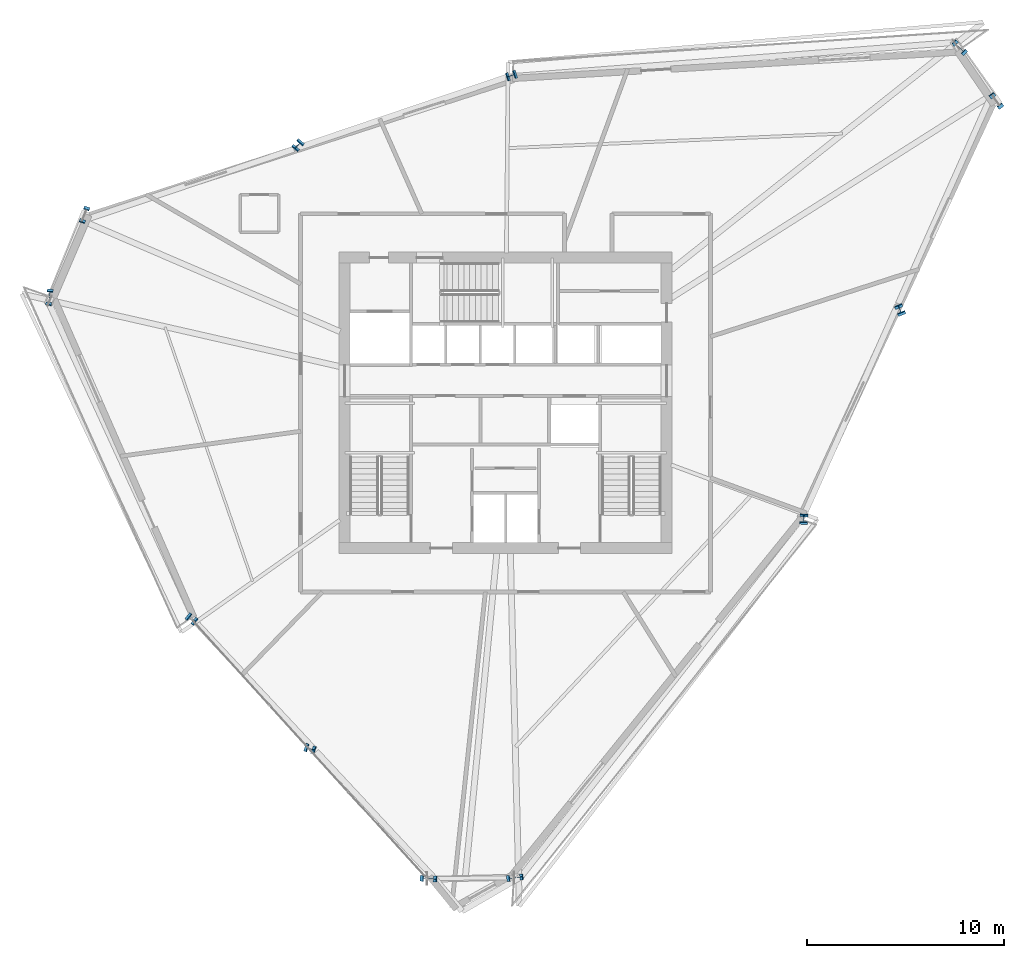
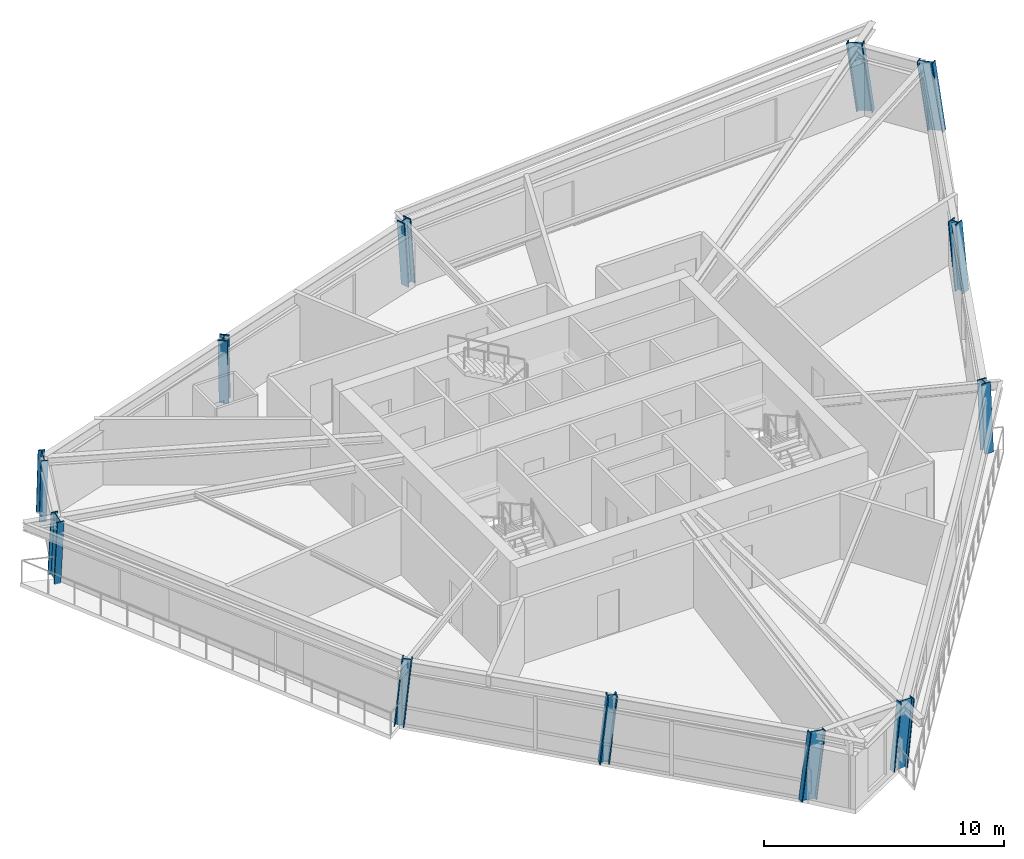
# One storey, part 1 of 13: 12 columns.
"""IFC4 building model written with IfcOpenShell, lengths in metres."""

import ifcopenshell
import ifcopenshell.guid

model = None  # the IFC model being written
_history = None  # IfcOwnerHistory: only IFC2X3 demands one
_inside = {}  # id of a spatial element -> (the spatial element, [elements in it])
_under = {}  # id of a project, library or spatial element -> (it, [spatial elements below it])
_declared = {}  # id of a project -> (the project, [libraries it declares])
_typed = {}  # id of a type object -> (the type object, [elements of that type])
_made_of = {}  # id of a material, layer set ... -> (it, [elements and type objects made of it])


def new_model(schema):
    """Start an empty IFC model of exactly this schema.

    Asked for "IFC4X3", IfcOpenShell would pick the latest addendum, in which some entities
    have other attributes; the version numbers below select the first issue.
    IFC2X3 requires an IfcOwnerHistory on every rooted entity: one is made here for all.
    """
    global model, _history
    if schema == "IFC4X3":
        model = ifcopenshell.file(schema_version=(4, 3, 0, 0))
    else:
        model = ifcopenshell.file(schema=schema)
    _inside.clear()
    _under.clear()
    _declared.clear()
    _typed.clear()
    _made_of.clear()
    _history = None
    if model.schema == "IFC2X3":
        org = make("IfcOrganization", Name="unknown")
        user = make(
            "IfcPersonAndOrganization",
            ThePerson=make("IfcPerson", FamilyName="unknown"),
            TheOrganization=org,
        )
        app = make(
            "IfcApplication",
            ApplicationDeveloper=org,
            Version="unknown",
            ApplicationFullName="unknown",
            ApplicationIdentifier="unknown",
        )
        _history = make(
            "IfcOwnerHistory",
            OwningUser=user,
            OwningApplication=app,
            ChangeAction="ADDED",
            CreationDate=0,
        )
    return model


def make(cls, **values):
    """One entity of the class cls with the attributes given. An attribute that is None is left unset."""
    return model.create_entity(
        cls, **{name: value for name, value in values.items() if value is not None}
    )


def rooted(cls, **values):
    """An entity with a GlobalId (a new one), such as an element, a storey or a relation."""
    return make(cls, GlobalId=ifcopenshell.guid.new(), OwnerHistory=_history, **values)


def si_unit(unit_type, name, prefix=None):
    """IfcSIUnit, for example si_unit("LENGTHUNIT", "METRE", prefix="MILLI")."""
    return make("IfcSIUnit", UnitType=unit_type, Prefix=prefix, Name=name)


def assignment(units):
    """IfcUnitAssignment: the units of a project."""
    return None if units is None else make("IfcUnitAssignment", Units=units)


def point(xyz):
    """IfcCartesianPoint."""
    return None if xyz is None else make("IfcCartesianPoint", Coordinates=xyz)


def direction(xyz):
    """IfcDirection."""
    return None if xyz is None else make("IfcDirection", DirectionRatios=xyz)


def frame(location, z_axis=None, x_axis=None):
    """IfcAxis2Placement3D, a coordinate frame: its origin and axes. An axis left out is left unset."""
    return make(
        "IfcAxis2Placement3D",
        Location=point(location),
        Axis=direction(z_axis),
        RefDirection=direction(x_axis),
    )


def frame_2d(location, x_axis=None):
    """IfcAxis2Placement2D, a coordinate frame in the plane: its origin and x axis."""
    return make(
        "IfcAxis2Placement2D", Location=point(location), RefDirection=direction(x_axis)
    )


def origin():
    """The frame at (0, 0, 0) with its axes left unset."""
    return frame((0.0, 0.0, 0.0))


def origin_2d():
    """The frame at (0, 0) in the plane with its x axis left unset."""
    return frame_2d((0.0, 0.0))


def place(relative_to, where):
    """IfcLocalPlacement: puts the frame where relative to a parent placement (None: the world)."""
    return make(
        "IfcLocalPlacement", PlacementRelTo=relative_to, RelativePlacement=where
    )


def context(
    kind, dimensions, precision=None, world=None, true_north=None, identifier=None
):
    """IfcGeometricRepresentationContext, for example the 3D "Model" context."""
    return make(
        "IfcGeometricRepresentationContext",
        ContextIdentifier=identifier,
        ContextType=kind,
        CoordinateSpaceDimension=dimensions,
        Precision=precision,
        WorldCoordinateSystem=world,
        TrueNorth=true_north,
    )


def subcontext(parent, identifier, kind, view, scale=None):
    """IfcGeometricRepresentationSubContext, for example "Body" below "Model"."""
    return make(
        "IfcGeometricRepresentationSubContext",
        ContextIdentifier=identifier,
        ContextType=kind,
        ParentContext=parent,
        TargetScale=scale,
        TargetView=view,
    )


def project(units=None, contexts=None):
    """IfcProject with its units and contexts."""
    return rooted(
        "IfcProject",
        Name="project",
        RepresentationContexts=contexts,
        UnitsInContext=assignment(units),
    )


def spatial(cls, under=None, at=None, **own):
    """A site, building, storey or space (cls), placed at a placement, below another one or the project."""
    s = rooted(cls, ObjectPlacement=at, **own)
    if under is not None:
        _under.setdefault(under.id(), (under, []))[1].append(s)
    return s


def profile(cls, at=None, kind="AREA", **sizes):
    """A parametric profile (cls). Its sizes go by their IFC names, for example OverallWidth=200.0."""
    return make(cls, ProfileType=kind, Position=at, **sizes)


def i_section(**sizes):
    """IfcIShapeProfileDef."""
    return profile("IfcIShapeProfileDef", **sizes)


def extrude(swept, where, along, depth):
    """IfcExtrudedAreaSolid: the profile swept, set in the frame where, extruded along a direction by depth."""
    return make(
        "IfcExtrudedAreaSolid",
        SweptArea=swept,
        Position=where,
        ExtrudedDirection=direction(along),
        Depth=depth,
    )


def shape(context_of_items, identifier, shape_type, items):
    """IfcShapeRepresentation: the items that make up one representation, for example the "Body"."""
    return make(
        "IfcShapeRepresentation",
        ContextOfItems=context_of_items,
        RepresentationIdentifier=identifier,
        RepresentationType=shape_type,
        Items=items,
    )


def source(mapping_origin, context_of_items, identifier, shape_type, items):
    """IfcRepresentationMap: a shape defined once, which mapped items show again and again."""
    return make(
        "IfcRepresentationMap",
        MappingOrigin=mapping_origin,
        MappedRepresentation=shape(context_of_items, identifier, shape_type, items),
    )


def transform(
    local_origin,
    x_axis=None,
    y_axis=None,
    z_axis=None,
    scale=None,
    scale2=None,
    scale3=None,
    uniform=True,
):
    """IfcCartesianTransformationOperator3D, or its non-uniform kind. x_axis, y_axis, z_axis: its Axis1, 2, 3."""
    if uniform:
        return make(
            "IfcCartesianTransformationOperator3D",
            Axis1=direction(x_axis),
            Axis2=direction(y_axis),
            LocalOrigin=point(local_origin),
            Scale=scale,
            Axis3=direction(z_axis),
        )
    return make(
        "IfcCartesianTransformationOperator3DnonUniform",
        Axis1=direction(x_axis),
        Axis2=direction(y_axis),
        LocalOrigin=point(local_origin),
        Scale=scale,
        Axis3=direction(z_axis),
        Scale2=scale2,
        Scale3=scale3,
    )


def mapped(mapping_source, mapping_target):
    """IfcMappedItem: shows the shape of a source again, moved by a transform."""
    return make(
        "IfcMappedItem", MappingSource=mapping_source, MappingTarget=mapping_target
    )


def material(Name=None, Category=None):
    """IfcMaterial."""
    return make("IfcMaterial", Name=Name, Category=Category)


def material_profile(
    of_material, cross_section, Name=None, Category=None, Priority=None
):
    """IfcMaterialProfile: a cross section and its material."""
    return make(
        "IfcMaterialProfile",
        Name=Name,
        Material=of_material,
        Profile=cross_section,
        Priority=Priority,
        Category=Category,
    )


def profile_set(profiles, Name=None, composite=None):
    """IfcMaterialProfileSet."""
    return make(
        "IfcMaterialProfileSet",
        Name=Name,
        MaterialProfiles=profiles,
        CompositeProfile=composite,
    )


def made_of(thing, what):
    """Note that an element or type object is made of a material, layer set ...; save() writes the relation."""
    if what is not None:
        _made_of.setdefault(what.id(), (what, []))[1].append(thing)
    return thing


def type_object(cls, material=None, **own):
    """A type object (cls), such as IfcWallType, which elements share."""
    return made_of(rooted(cls, **own), material)


def element(
    cls,
    number,
    at=None,
    inside=None,
    cuts=None,
    type_object=None,
    material=None,
    context=None,
    identifier="Body",
    shape_type=None,
    held_by="IfcProductDefinitionShape",
    body=None,
    shapes=None,
    **own,
):
    """One element of the class cls, such as IfcWall. Its Tag is "e" and its number.

    at: its placement. inside: the storey or other place that contains it. cuts: it is an
    opening in that element (IfcRelVoidsElement). A single representation is given by context,
    identifier, shape_type and body (its items); several are given by shapes. held_by: the class
    of the entity that holds the representations. save() writes the other relations.
    """
    e = rooted(cls, Tag="e%d" % number, ObjectPlacement=at, **own)
    if body is not None:
        shapes = [shape(context, identifier, shape_type, body)]
    if shapes is not None:
        e.Representation = make(held_by, Representations=shapes)
    if inside is not None:
        _inside.setdefault(inside.id(), (inside, []))[1].append(e)
    if cuts is not None:
        rooted(
            "IfcRelVoidsElement", RelatingBuildingElement=cuts, RelatedOpeningElement=e
        )
    if type_object is not None:
        _typed.setdefault(type_object.id(), (type_object, []))[1].append(e)
    return made_of(e, material)


def aggregate(whole, parts):
    """IfcRelAggregates: a whole, such as a stair, and the parts it consists of."""
    return rooted("IfcRelAggregates", RelatingObject=whole, RelatedObjects=parts)


def save(model, path):
    """Write the relations noted so far, then the file.

    IfcRelAggregates (storeys below a building ...), IfcRelContainedInSpatialStructure (elements
    in a storey), IfcRelDefinesByType, IfcRelAssociatesMaterial and IfcRelDeclares: one each for
    every whole, place, type object, material and project.
    """
    for whole, parts in _under.values():
        aggregate(whole, parts)
    for where, things in _inside.values():
        rooted(
            "IfcRelContainedInSpatialStructure",
            RelatedElements=things,
            RelatingStructure=where,
        )
    for kind, things in _typed.values():
        rooted("IfcRelDefinesByType", RelatedObjects=things, RelatingType=kind)
    for what, things in _made_of.values():
        rooted("IfcRelAssociatesMaterial", RelatedObjects=things, RelatingMaterial=what)
    for by, libraries in _declared.values():
        rooted("IfcRelDeclares", RelatingContext=by, RelatedDefinitions=libraries)
    model.write(path)


model = new_model("IFC4")

# Units and contexts
model_context = context("Model", 3, precision=1e-05, world=origin(), true_north=direction((0.0, 1.0)))
body_context = subcontext(model_context, "Body", "Model", "MODEL_VIEW")
ifc_project = project(units=[si_unit("LENGTHUNIT", "METRE"), si_unit("AREAUNIT", "SQUARE_METRE"), si_unit("VOLUMEUNIT", "CUBIC_METRE"), si_unit("PLANEANGLEUNIT", "RADIAN"), si_unit("MASSUNIT", "GRAM", prefix="KILO")], contexts=[model_context])

# Site, building, storey
site_placement = place(None, origin())
site = spatial("IfcSite", under=ifc_project, at=site_placement, CompositionType="ELEMENT")
building_placement = place(site_placement, origin())
building = spatial("IfcBuilding", under=site, at=building_placement, Name="Olszyna Solenne Hotel", CompositionType="ELEMENT")
storey_placement = place(building_placement, frame((0.0, 0.0, 175.0)))
storey = spatial("IfcBuildingStorey", under=building, at=storey_placement, Name="L46", CompositionType="ELEMENT", Elevation=175.0)

# Columns
ifc_material = material(Name="Steel S460M", Category="steel")
ifc_material_profile_1 = material_profile(ifc_material, i_section(OverallWidth=0.303955078125, OverallDepth=0.716064453125, WebThickness=0.02099609375, FlangeThickness=0.0400390625, at=origin_2d()), Name="HEM 700", Category="load-bearing")
ifc_profile_set_1 = profile_set([ifc_material_profile_1], Name="Steel S460M")
column_type_1 = type_object("IfcColumnType", Name="COL-K2", PredefinedType="COLUMN", material=ifc_profile_set_1)
shared_shape_1 = source(origin(), body_context, "Body", "SweptSolid", [
    extrude(i_section(OverallWidth=0.303955078125, OverallDepth=0.716064453125, WebThickness=0.02099609375, FlangeThickness=0.0400390625, at=origin_2d()), origin(), (0.0, 0.0, 1.0), 3.404052734375),
])
column_1_placement = place(storey_placement, frame((38.4111328125, 2.48779296875, 0.0), z_axis=(0.105068811283, 0.012335723919, 0.994388442617), x_axis=(-0.116605238745, 0.993178341637, 0.0)))
element("IfcColumn", 1, at=column_1_placement, inside=storey, type_object=column_type_1, Name="Perimeter framed-tube column COL-K2 C-L46-10", PredefinedType="COLUMN", context=body_context, shape_type="MappedRepresentation", body=[
    mapped(shared_shape_1, transform((0.0, 0.0, 0.0), x_axis=(1.0, 0.0, 0.0), y_axis=(0.0, 1.0, 0.0), z_axis=(0.0, 0.0, 1.0), scale=1.0)),
])
ifc_material_profile_2 = material_profile(ifc_material, i_section(OverallWidth=0.412109375, OverallDepth=0.43505859375, WebThickness=0.031494140625, FlangeThickness=0.050048828125, at=origin_2d()), Name="HD 400x463", Category="load-bearing")
ifc_profile_set_2 = profile_set([ifc_material_profile_2], Name="Steel S460M")
column_type_2 = type_object("IfcColumnType", Name="COL-T3", PredefinedType="COLUMN", material=ifc_profile_set_2)
shared_shape_2 = source(origin(), body_context, "Body", "SweptSolid", [
    extrude(i_section(OverallWidth=0.412109375, OverallDepth=0.43505859375, WebThickness=0.031494140625, FlangeThickness=0.050048828125, at=origin_2d()), origin(), (0.0, 0.0, 1.0), 3.396240234375),
])
column_2_placement = place(storey_placement, frame((53.135009765625, 20.646728515625, 0.0), z_axis=(0.00424121851, 0.081230117231, 0.996686349922), x_axis=(-0.998639713808, 0.052141365588, 0.0)))
element("IfcColumn", 2, at=column_2_placement, inside=storey, type_object=column_type_2, Name="Perimeter framed-tube column COL-T3 C-L46-11", PredefinedType="COLUMN", context=body_context, shape_type="MappedRepresentation", body=[
    mapped(shared_shape_2, transform((0.0, 0.0, 0.0), x_axis=(1.0, 0.0, 0.0), y_axis=(0.0, 1.0, 0.0), z_axis=(0.0, 0.0, 1.0), scale=1.0)),
])
shared_shape_3 = source(origin(), body_context, "Body", "SweptSolid", [
    extrude(i_section(OverallWidth=0.412109375, OverallDepth=0.43505859375, WebThickness=0.031494140625, FlangeThickness=0.050048828125, at=origin_2d()), origin(), (0.0, 0.0, 1.0), 3.403564453125),
])
column_3_placement = place(storey_placement, frame((58.050048828125, 31.252197265625, 0.0), z_axis=(-0.0404553248, 0.096332448948, 0.994526734671), x_axis=(-0.92199681109, -0.387197469438, 0.0)))
element("IfcColumn", 3, at=column_3_placement, inside=storey, type_object=column_type_2, Name="Perimeter framed-tube column COL-T3 C-L46-12", PredefinedType="COLUMN", context=body_context, shape_type="MappedRepresentation", body=[
    mapped(shared_shape_3, transform((0.0, 0.0, 0.0), x_axis=(1.0, 0.0, 0.0), y_axis=(0.0, 1.0, 0.0), z_axis=(0.0, 0.0, 1.0), scale=1.0)),
])
shared_shape_4 = source(origin(), body_context, "Body", "SweptSolid", [
    extrude(i_section(OverallWidth=0.412109375, OverallDepth=0.43505859375, WebThickness=0.031494140625, FlangeThickness=0.050048828125, at=origin_2d()), origin(), (0.0, 0.0, 1.0), 3.39794921875),
])
column_4_placement = place(storey_placement, frame((27.49609375, 39.718994140625, 0.0), z_axis=(-0.055972402112, -0.066390885175, 0.996222535665), x_axis=(0.764546308451, -0.644568803337, 0.0)))
element("IfcColumn", 4, at=column_4_placement, inside=storey, type_object=column_type_2, Name="Perimeter framed-tube column COL-T3 C-L46-04", PredefinedType="COLUMN", context=body_context, shape_type="MappedRepresentation", body=[
    mapped(shared_shape_4, transform((0.0, 0.0, 0.0), x_axis=(1.0, 0.0, 0.0), y_axis=(0.0, 1.0, 0.0), z_axis=(0.0, 0.0, 1.0), scale=1.0)),
])
shared_shape_5 = source(origin(), body_context, "Body", "SweptSolid", [
    extrude(i_section(OverallWidth=0.303955078125, OverallDepth=0.716064453125, WebThickness=0.02099609375, FlangeThickness=0.0400390625, at=origin_2d()), origin(), (0.0, 0.0, 1.0), 3.407470703125),
])
column_5_placement = place(storey_placement, frame((16.647216796875, 36.211181640625, 0.0), z_axis=(-0.037258162813, -0.108191972785, 0.993431591167), x_axis=(0.945505987417, -0.325604710898, 0.0)))
element("IfcColumn", 5, at=column_5_placement, inside=storey, type_object=column_type_1, Name="Perimeter framed-tube column COL-K2 C-L46-05", PredefinedType="COLUMN", context=body_context, shape_type="MappedRepresentation", body=[
    mapped(shared_shape_5, transform((0.0, 0.0, 0.0), x_axis=(1.0, 0.0, 0.0), y_axis=(0.0, 1.0, 0.0), z_axis=(0.0, 0.0, 1.0), scale=1.0)),
])
shared_shape_6 = source(origin(), body_context, "Body", "SweptSolid", [
    extrude(i_section(OverallWidth=0.303955078125, OverallDepth=0.716064453125, WebThickness=0.02099609375, FlangeThickness=0.0400390625, at=origin_2d()), origin(), (0.0, 0.0, 1.0), 3.418701171875),
])
column_6_placement = place(storey_placement, frame((62.965087890625, 41.85791015625, 0.0), z_axis=(-0.084770266096, 0.111194022166, 0.99017669707), x_axis=(-0.795255814538, -0.606274021745, 0.0)))
element("IfcColumn", 6, at=column_6_placement, inside=storey, type_object=column_type_1, Name="Perimeter framed-tube column COL-K2 C-L46-01", PredefinedType="COLUMN", context=body_context, shape_type="MappedRepresentation", body=[
    mapped(shared_shape_6, transform((0.0, 0.0, 0.0), x_axis=(1.0, 0.0, 0.0), y_axis=(0.0, 1.0, 0.0), z_axis=(0.0, 0.0, 1.0), scale=1.0)),
])
shared_shape_7 = source(origin(), body_context, "Body", "SweptSolid", [
    extrude(i_section(OverallWidth=0.303955078125, OverallDepth=0.716064453125, WebThickness=0.02099609375, FlangeThickness=0.0400390625, at=origin_2d()), origin(), (0.0, 0.0, 1.0), 3.403076171875),
])
column_7_placement = place(storey_placement, frame((14.850830078125, 32.01904296875, 0.0), z_axis=(-0.012052737476, -0.102017813637, 0.994709554202), x_axis=(0.993093280281, -0.117327476151, 0.0)))
element("IfcColumn", 7, at=column_7_placement, inside=storey, type_object=column_type_1, Name="Perimeter framed-tube column COL-K2 C-L46-06", PredefinedType="COLUMN", context=body_context, shape_type="MappedRepresentation", body=[
    mapped(shared_shape_7, transform((0.0, 0.0, 0.0), x_axis=(1.0, 0.0, 0.0), y_axis=(0.0, 1.0, 0.0), z_axis=(0.0, 0.0, 1.0), scale=1.0)),
])
shared_shape_8 = source(origin(), body_context, "Body", "SweptSolid", [
    extrude(i_section(OverallWidth=0.303955078125, OverallDepth=0.716064453125, WebThickness=0.02099609375, FlangeThickness=0.0400390625, at=origin_2d()), origin(), (0.0, 0.0, 1.0), 3.409912109375),
])
column_8_placement = place(storey_placement, frame((34.017822265625, 2.449462890625, 0.0), z_axis=(0.120214638994, -0.007517889872, 0.992719457804), x_axis=(0.062415293513, 0.998050264834, 0.0)))
element("IfcColumn", 8, at=column_8_placement, inside=storey, type_object=column_type_1, Name="Perimeter framed-tube column COL-K2 C-L46-09", PredefinedType="COLUMN", context=body_context, shape_type="MappedRepresentation", body=[
    mapped(shared_shape_8, transform((0.0, 0.0, 0.0), x_axis=(1.0, 0.0, 0.0), y_axis=(0.0, 1.0, 0.0), z_axis=(0.0, 0.0, 1.0), scale=1.0)),
])
shared_shape_9 = source(origin(), body_context, "Body", "SweptSolid", [
    extrude(i_section(OverallWidth=0.412109375, OverallDepth=0.43505859375, WebThickness=0.031494140625, FlangeThickness=0.050048828125, at=origin_2d()), origin(), (0.0, 0.0, 1.0), 3.3955078125),
])
column_9_placement = place(storey_placement, frame((38.344482421875, 43.22705078125, 0.0), z_axis=(-0.074419158204, -0.024374970658, 0.996929109665), x_axis=(0.311265239692, -0.950323076937, 0.0)))
element("IfcColumn", 9, at=column_9_placement, inside=storey, type_object=column_type_2, Name="Perimeter framed-tube column COL-T3 C-L46-03", PredefinedType="COLUMN", context=body_context, shape_type="MappedRepresentation", body=[
    mapped(shared_shape_9, transform((0.0, 0.0, 0.0), x_axis=(1.0, 0.0, 0.0), y_axis=(0.0, 1.0, 0.0), z_axis=(0.0, 0.0, 1.0), scale=1.0)),
])
shared_shape_10 = source(origin(), body_context, "Body", "SweptSolid", [
    extrude(i_section(OverallWidth=0.303955078125, OverallDepth=0.716064453125, WebThickness=0.02099609375, FlangeThickness=0.0400390625, at=origin_2d()), origin(), (0.0, 0.0, 1.0), 3.4140625),
])
column_10_placement = place(storey_placement, frame((61.108154296875, 44.57470703125, 0.0), z_axis=(-0.090815817795, 0.093533141477, 0.991465601362), x_axis=(-0.717451675524, -0.696608278223, 0.0)))
element("IfcColumn", 10, at=column_10_placement, inside=storey, type_object=column_type_1, Name="Perimeter framed-tube column COL-K2 C-L46-02", PredefinedType="COLUMN", context=body_context, shape_type="MappedRepresentation", body=[
    mapped(shared_shape_10, transform((0.0, 0.0, 0.0), x_axis=(1.0, 0.0, 0.0), y_axis=(0.0, 1.0, 0.0), z_axis=(0.0, 0.0, 1.0), scale=1.0)),
])
shared_shape_11 = source(origin(), body_context, "Body", "SweptSolid", [
    extrude(i_section(OverallWidth=0.412109375, OverallDepth=0.43505859375, WebThickness=0.031494140625, FlangeThickness=0.050048828125, at=origin_2d()), origin(), (0.0, 0.0, 1.0), 3.39990234375),
])
column_11_placement = place(storey_placement, frame((22.014404296875, 15.665771484375, 0.0), z_axis=(0.073960071972, -0.057731939675, 0.995588735822), x_axis=(0.615317254513, 0.788279567348, 0.0)))
element("IfcColumn", 11, at=column_11_placement, inside=storey, type_object=column_type_2, Name="Perimeter framed-tube column COL-T3 C-L46-07", PredefinedType="COLUMN", context=body_context, shape_type="MappedRepresentation", body=[
    mapped(shared_shape_11, transform((0.0, 0.0, 0.0), x_axis=(1.0, 0.0, 0.0), y_axis=(0.0, 1.0, 0.0), z_axis=(0.0, 0.0, 1.0), scale=1.0)),
])
shared_shape_12 = source(origin(), body_context, "Body", "SweptSolid", [
    extrude(i_section(OverallWidth=0.412109375, OverallDepth=0.43505859375, WebThickness=0.031494140625, FlangeThickness=0.050048828125, at=origin_2d()), origin(), (0.0, 0.0, 1.0), 3.40283203125),
])
column_12_placement = place(storey_placement, frame((28.01611328125, 9.0576171875, 0.0), z_axis=(0.097141816378, -0.032643667985, 0.994735069479), x_axis=(0.318537097398, 0.947910395334, 0.0)))
element("IfcColumn", 12, at=column_12_placement, inside=storey, type_object=column_type_2, Name="Perimeter framed-tube column COL-T3 C-L46-08", PredefinedType="COLUMN", context=body_context, shape_type="MappedRepresentation", body=[
    mapped(shared_shape_12, transform((0.0, 0.0, 0.0), x_axis=(1.0, 0.0, 0.0), y_axis=(0.0, 1.0, 0.0), z_axis=(0.0, 0.0, 1.0), scale=1.0)),
])

save(model, "model.ifc")
